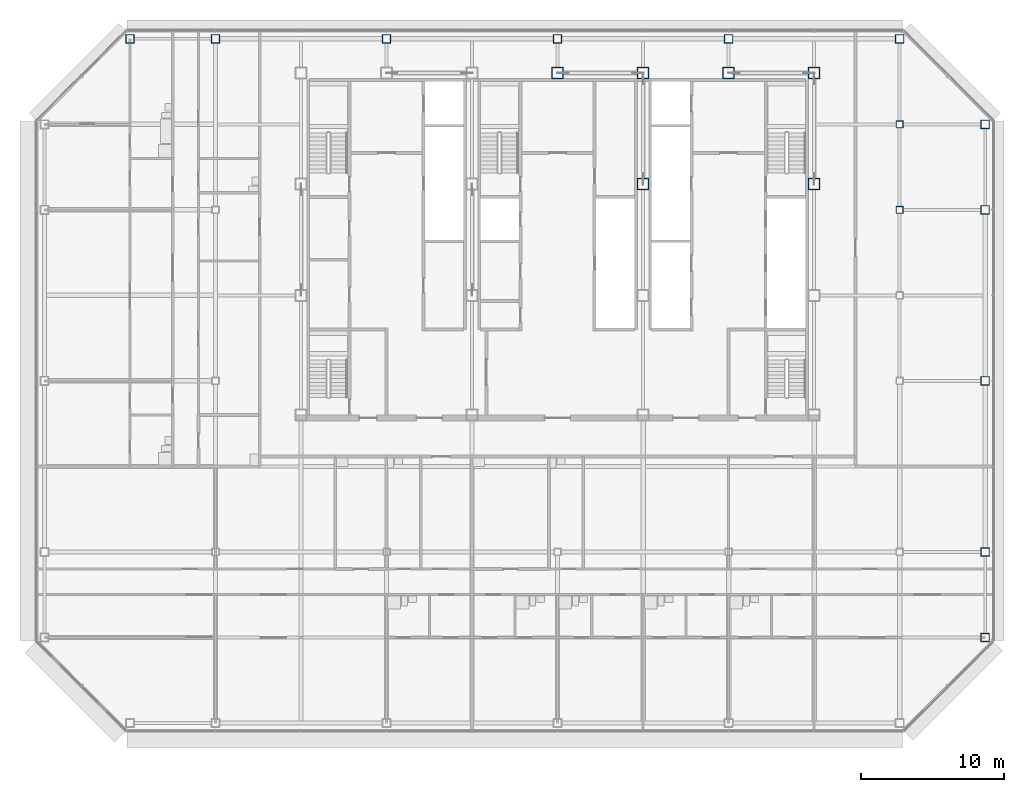
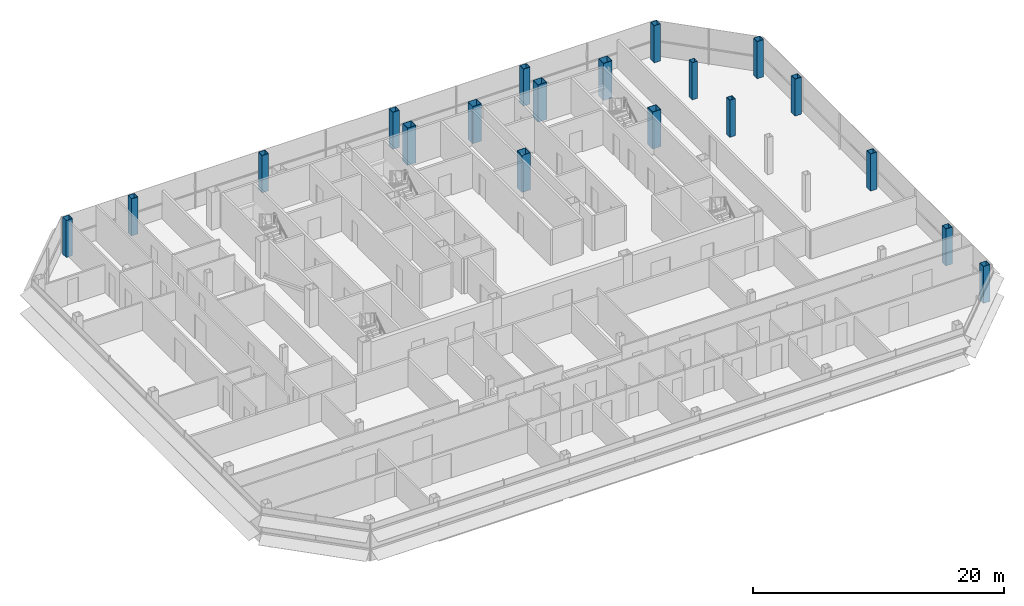
# One storey, part 2 of 28: 19 columns.
"""IFC4 building model written with IfcOpenShell, lengths in metres."""

from ifc_helpers import new_model, si_unit, direction, frame, origin, origin_2d, place, context, subcontext, project, spatial, hollow_rectangle, extrude, material, material_profile, profile_set, type_object, element, save


model = new_model("IFC4")

# Units and contexts
model_context = context("Model", 3, precision=1e-05, world=origin(), true_north=direction((0.0, 1.0)))
body_context = subcontext(model_context, "Body", "Model", "MODEL_VIEW")
ifc_project = project(units=[si_unit("LENGTHUNIT", "METRE"), si_unit("AREAUNIT", "SQUARE_METRE"), si_unit("VOLUMEUNIT", "CUBIC_METRE"), si_unit("PLANEANGLEUNIT", "RADIAN"), si_unit("MASSUNIT", "GRAM", prefix="KILO")], contexts=[model_context])

# Site, building, storey
site_placement = place(None, origin())
site = spatial("IfcSite", under=ifc_project, at=site_placement, CompositionType="ELEMENT")
building_placement = place(site_placement, origin())
building = spatial("IfcBuilding", under=site, at=building_placement, Name="Sorahane Residences", CompositionType="ELEMENT")
storey_placement = place(building_placement, frame((0.0, 0.0, 250.39990234375)))
storey = spatial("IfcBuildingStorey", under=building, at=storey_placement, Name="L59", CompositionType="ELEMENT", Elevation=250.39990234375)

# Columns
ifc_material_1 = material(Name="Steel Q355B", Category="steel")
ifc_material_profile_1 = material_profile(ifc_material_1, hollow_rectangle(XDim=0.5, YDim=0.5, WallThickness=0.02490234375, at=origin_2d()), Name="BOX 500x500x25")
ifc_profile_set_1 = profile_set([ifc_material_profile_1], Name="Steel Q355B")
column_type_1 = type_object("IfcColumnType", Name="Steel box column BOX 500x500x25 Q355B", PredefinedType="COLUMN", material=ifc_profile_set_1)
for number, where, z_axis, x_axis, name in (
    (1, (48.0, 36.0, 0.0), (0.0, 0.0, 1.0), (1.0, 0.0, 0.0), "Column L59 48/36"),
    (2, (48.0, 42.0, 0.0), (0.0, 0.0, 1.0), (1.0, 0.0, 0.0), "Column L59 48/42"),
):
    element("IfcColumn", number, at=place(storey_placement, frame(where, z_axis=z_axis, x_axis=x_axis)), inside=storey, type_object=column_type_1, Name=name, PredefinedType="COLUMN", context=body_context, shape_type="SweptSolid", body=[
        extrude(hollow_rectangle(XDim=0.5, YDim=0.5, WallThickness=0.02490234375, at=origin_2d()), origin(), (0.0, 0.0, 1.0), 3.60009765625),
    ])
ifc_material_2 = material(Name="Steel Q355B", Category="steel")
ifc_material_profile_2 = material_profile(ifc_material_2, hollow_rectangle(XDim=0.60009765625, YDim=0.60009765625, WallThickness=0.028076171875, at=origin_2d()), Name="BOX 600x600x28")
ifc_profile_set_2 = profile_set([ifc_material_profile_2], Name="Steel Q355B")
column_type_2 = type_object("IfcColumnType", Name="Steel box column BOX 600x600x28 Q355B", PredefinedType="COLUMN", material=ifc_profile_set_2)
for number, where, z_axis, x_axis, name in (
    (3, (-6.0, 48.0, 0.0), (0.0, 0.0, 1.0), (1.0, 0.0, 0.0), "Column L59 m6/48"),
    (4, (0.0, 48.0, 0.0), (0.0, 0.0, 1.0), (1.0, 0.0, 0.0), "Column L59 0/48"),
    (5, (12.0, 48.0, 0.0), (0.0, 0.0, 1.0), (1.0, 0.0, 0.0), "Column L59 12/48"),
    (6, (24.0, 48.0, 0.0), (0.0, 0.0, 1.0), (1.0, 0.0, 0.0), "Column L59 24/48"),
    (7, (36.0, 48.0, 0.0), (0.0, 0.0, 1.0), (1.0, 0.0, 0.0), "Column L59 36/48"),
    (8, (48.0, 48.0, 0.0), (0.0, 0.0, 1.0), (1.0, 0.0, 0.0), "Column L59 48/48"),
    (9, (54.0, 6.0, 0.0), (0.0, 0.0, 1.0), (1.0, 0.0, 0.0), "Column L59 54/6"),
    (10, (54.0, 12.0, 0.0), (0.0, 0.0, 1.0), (1.0, 0.0, 0.0), "Column L59 54/12"),
    (11, (54.0, 24.0, 0.0), (0.0, 0.0, 1.0), (1.0, 0.0, 0.0), "Column L59 54/24"),
    (12, (54.0, 36.0, 0.0), (0.0, 0.0, 1.0), (1.0, 0.0, 0.0), "Column L59 54/36"),
    (13, (54.0, 42.0, 0.0), (0.0, 0.0, 1.0), (1.0, 0.0, 0.0), "Column L59 54/42"),
):
    element("IfcColumn", number, at=place(storey_placement, frame(where, z_axis=z_axis, x_axis=x_axis)), inside=storey, type_object=column_type_2, Name=name, PredefinedType="COLUMN", context=body_context, shape_type="SweptSolid", body=[
        extrude(hollow_rectangle(XDim=0.60009765625, YDim=0.60009765625, WallThickness=0.028076171875, at=origin_2d()), origin(), (0.0, 0.0, 1.0), 3.60009765625),
    ])
ifc_material_3 = material(Name="Steel Q355B", Category="steel")
ifc_material_profile_3 = material_profile(ifc_material_3, hollow_rectangle(XDim=0.800048828125, YDim=0.800048828125, WallThickness=0.031982421875, at=origin_2d()), Name="BOX 800x800x32")
ifc_profile_set_3 = profile_set([ifc_material_profile_3], Name="Steel Q355B")
column_type_3 = type_object("IfcColumnType", Name="Steel box column BOX 800x800x32 Q355B", PredefinedType="COLUMN", material=ifc_profile_set_3)
for number, where, z_axis, x_axis, name in (
    (14, (24.0, 45.60009765625, 0.0), (0.0, 0.0, 1.0), (1.0, 0.0, 0.0), "Column L59 24/45.6"),
    (15, (30.0, 37.800048828125, 0.0), (0.0, 0.0, 1.0), (1.0, 0.0, 0.0), "Column L59 30/37.8"),
    (16, (30.0, 45.60009765625, 0.0), (0.0, 0.0, 1.0), (1.0, 0.0, 0.0), "Column L59 30/45.6"),
    (17, (36.0, 45.60009765625, 0.0), (0.0, 0.0, 1.0), (1.0, 0.0, 0.0), "Column L59 36/45.6"),
    (18, (42.0, 37.800048828125, 0.0), (0.0, 0.0, 1.0), (1.0, 0.0, 0.0), "Column L59 42/37.8"),
    (19, (42.0, 45.60009765625, 0.0), (0.0, 0.0, 1.0), (1.0, 0.0, 0.0), "Column L59 42/45.6"),
):
    element("IfcColumn", number, at=place(storey_placement, frame(where, z_axis=z_axis, x_axis=x_axis)), inside=storey, type_object=column_type_3, Name=name, PredefinedType="COLUMN", context=body_context, shape_type="SweptSolid", body=[
        extrude(hollow_rectangle(XDim=0.800048828125, YDim=0.800048828125, WallThickness=0.031982421875, at=origin_2d()), origin(), (0.0, 0.0, 1.0), 3.60009765625),
    ])

save(model, "model.ifc")
